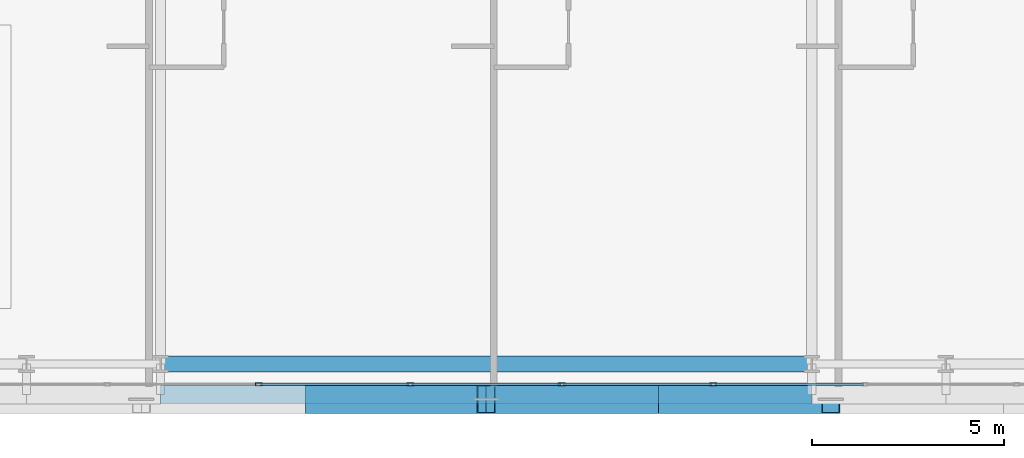
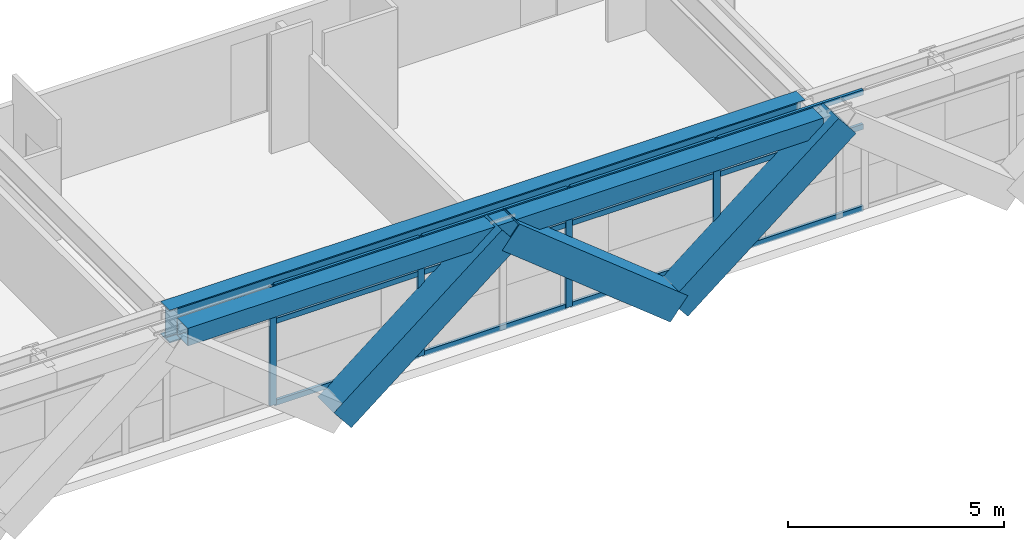
# One storey, part 5 of 34: 19 members, 2 beams, 1 element without a shape of its own.
"""IFC4 building model written with IfcOpenShell, lengths in metres."""

import ifcopenshell
import ifcopenshell.guid

model = None  # the IFC model being written
_history = None  # IfcOwnerHistory: only IFC2X3 demands one
_inside = {}  # id of a spatial element -> (the spatial element, [elements in it])
_under = {}  # id of a project, library or spatial element -> (it, [spatial elements below it])
_declared = {}  # id of a project -> (the project, [libraries it declares])
_typed = {}  # id of a type object -> (the type object, [elements of that type])
_made_of = {}  # id of a material, layer set ... -> (it, [elements and type objects made of it])


def new_model(schema):
    """Start an empty IFC model of exactly this schema.

    Asked for "IFC4X3", IfcOpenShell would pick the latest addendum, in which some entities
    have other attributes; the version numbers below select the first issue.
    IFC2X3 requires an IfcOwnerHistory on every rooted entity: one is made here for all.
    """
    global model, _history
    if schema == "IFC4X3":
        model = ifcopenshell.file(schema_version=(4, 3, 0, 0))
    else:
        model = ifcopenshell.file(schema=schema)
    _inside.clear()
    _under.clear()
    _declared.clear()
    _typed.clear()
    _made_of.clear()
    _history = None
    if model.schema == "IFC2X3":
        org = make("IfcOrganization", Name="unknown")
        user = make(
            "IfcPersonAndOrganization",
            ThePerson=make("IfcPerson", FamilyName="unknown"),
            TheOrganization=org,
        )
        app = make(
            "IfcApplication",
            ApplicationDeveloper=org,
            Version="unknown",
            ApplicationFullName="unknown",
            ApplicationIdentifier="unknown",
        )
        _history = make(
            "IfcOwnerHistory",
            OwningUser=user,
            OwningApplication=app,
            ChangeAction="ADDED",
            CreationDate=0,
        )
    return model


def make(cls, **values):
    """One entity of the class cls with the attributes given. An attribute that is None is left unset."""
    return model.create_entity(
        cls, **{name: value for name, value in values.items() if value is not None}
    )


def rooted(cls, **values):
    """An entity with a GlobalId (a new one), such as an element, a storey or a relation."""
    return make(cls, GlobalId=ifcopenshell.guid.new(), OwnerHistory=_history, **values)


def si_unit(unit_type, name, prefix=None):
    """IfcSIUnit, for example si_unit("LENGTHUNIT", "METRE", prefix="MILLI")."""
    return make("IfcSIUnit", UnitType=unit_type, Prefix=prefix, Name=name)


def assignment(units):
    """IfcUnitAssignment: the units of a project."""
    return None if units is None else make("IfcUnitAssignment", Units=units)


def point(xyz):
    """IfcCartesianPoint."""
    return None if xyz is None else make("IfcCartesianPoint", Coordinates=xyz)


def direction(xyz):
    """IfcDirection."""
    return None if xyz is None else make("IfcDirection", DirectionRatios=xyz)


def frame(location, z_axis=None, x_axis=None):
    """IfcAxis2Placement3D, a coordinate frame: its origin and axes. An axis left out is left unset."""
    return make(
        "IfcAxis2Placement3D",
        Location=point(location),
        Axis=direction(z_axis),
        RefDirection=direction(x_axis),
    )


def frame_2d(location, x_axis=None):
    """IfcAxis2Placement2D, a coordinate frame in the plane: its origin and x axis."""
    return make(
        "IfcAxis2Placement2D", Location=point(location), RefDirection=direction(x_axis)
    )


def origin():
    """The frame at (0, 0, 0) with its axes left unset."""
    return frame((0.0, 0.0, 0.0))


def origin_2d():
    """The frame at (0, 0) in the plane with its x axis left unset."""
    return frame_2d((0.0, 0.0))


def place(relative_to, where):
    """IfcLocalPlacement: puts the frame where relative to a parent placement (None: the world)."""
    return make(
        "IfcLocalPlacement", PlacementRelTo=relative_to, RelativePlacement=where
    )


def context(
    kind, dimensions, precision=None, world=None, true_north=None, identifier=None
):
    """IfcGeometricRepresentationContext, for example the 3D "Model" context."""
    return make(
        "IfcGeometricRepresentationContext",
        ContextIdentifier=identifier,
        ContextType=kind,
        CoordinateSpaceDimension=dimensions,
        Precision=precision,
        WorldCoordinateSystem=world,
        TrueNorth=true_north,
    )


def subcontext(parent, identifier, kind, view, scale=None):
    """IfcGeometricRepresentationSubContext, for example "Body" below "Model"."""
    return make(
        "IfcGeometricRepresentationSubContext",
        ContextIdentifier=identifier,
        ContextType=kind,
        ParentContext=parent,
        TargetScale=scale,
        TargetView=view,
    )


def project(units=None, contexts=None):
    """IfcProject with its units and contexts."""
    return rooted(
        "IfcProject",
        Name="project",
        RepresentationContexts=contexts,
        UnitsInContext=assignment(units),
    )


def spatial(cls, under=None, at=None, **own):
    """A site, building, storey or space (cls), placed at a placement, below another one or the project."""
    s = rooted(cls, ObjectPlacement=at, **own)
    if under is not None:
        _under.setdefault(under.id(), (under, []))[1].append(s)
    return s


def profile(cls, at=None, kind="AREA", **sizes):
    """A parametric profile (cls). Its sizes go by their IFC names, for example OverallWidth=200.0."""
    return make(cls, ProfileType=kind, Position=at, **sizes)


def hollow_rectangle(**sizes):
    """IfcRectangleHollowProfileDef."""
    return profile("IfcRectangleHollowProfileDef", **sizes)


def i_section(**sizes):
    """IfcIShapeProfileDef."""
    return profile("IfcIShapeProfileDef", **sizes)


def extrude(swept, where, along, depth):
    """IfcExtrudedAreaSolid: the profile swept, set in the frame where, extruded along a direction by depth."""
    return make(
        "IfcExtrudedAreaSolid",
        SweptArea=swept,
        Position=where,
        ExtrudedDirection=direction(along),
        Depth=depth,
    )


def shape(context_of_items, identifier, shape_type, items):
    """IfcShapeRepresentation: the items that make up one representation, for example the "Body"."""
    return make(
        "IfcShapeRepresentation",
        ContextOfItems=context_of_items,
        RepresentationIdentifier=identifier,
        RepresentationType=shape_type,
        Items=items,
    )


def source(mapping_origin, context_of_items, identifier, shape_type, items):
    """IfcRepresentationMap: a shape defined once, which mapped items show again and again."""
    return make(
        "IfcRepresentationMap",
        MappingOrigin=mapping_origin,
        MappedRepresentation=shape(context_of_items, identifier, shape_type, items),
    )


def transform(
    local_origin,
    x_axis=None,
    y_axis=None,
    z_axis=None,
    scale=None,
    scale2=None,
    scale3=None,
    uniform=True,
):
    """IfcCartesianTransformationOperator3D, or its non-uniform kind. x_axis, y_axis, z_axis: its Axis1, 2, 3."""
    if uniform:
        return make(
            "IfcCartesianTransformationOperator3D",
            Axis1=direction(x_axis),
            Axis2=direction(y_axis),
            LocalOrigin=point(local_origin),
            Scale=scale,
            Axis3=direction(z_axis),
        )
    return make(
        "IfcCartesianTransformationOperator3DnonUniform",
        Axis1=direction(x_axis),
        Axis2=direction(y_axis),
        LocalOrigin=point(local_origin),
        Scale=scale,
        Axis3=direction(z_axis),
        Scale2=scale2,
        Scale3=scale3,
    )


def mapped(mapping_source, mapping_target):
    """IfcMappedItem: shows the shape of a source again, moved by a transform."""
    return make(
        "IfcMappedItem", MappingSource=mapping_source, MappingTarget=mapping_target
    )


def material(Name=None, Category=None):
    """IfcMaterial."""
    return make("IfcMaterial", Name=Name, Category=Category)


def layer(
    of_material, thickness, ventilated=None, Name=None, Category=None, Priority=None
):
    """IfcMaterialLayer: one layer of a wall or slab, of a material (None: an air gap)."""
    return make(
        "IfcMaterialLayer",
        Material=of_material,
        LayerThickness=thickness,
        IsVentilated=ventilated,
        Name=Name,
        Category=Category,
        Priority=Priority,
    )


def layer_set(layers, Name=None):
    """IfcMaterialLayerSet."""
    return make("IfcMaterialLayerSet", MaterialLayers=layers, LayerSetName=Name)


def material_profile(
    of_material, cross_section, Name=None, Category=None, Priority=None
):
    """IfcMaterialProfile: a cross section and its material."""
    return make(
        "IfcMaterialProfile",
        Name=Name,
        Material=of_material,
        Profile=cross_section,
        Priority=Priority,
        Category=Category,
    )


def profile_set(profiles, Name=None, composite=None):
    """IfcMaterialProfileSet."""
    return make(
        "IfcMaterialProfileSet",
        Name=Name,
        MaterialProfiles=profiles,
        CompositeProfile=composite,
    )


def made_of(thing, what):
    """Note that an element or type object is made of a material, layer set ...; save() writes the relation."""
    if what is not None:
        _made_of.setdefault(what.id(), (what, []))[1].append(thing)
    return thing


def type_object(cls, material=None, **own):
    """A type object (cls), such as IfcWallType, which elements share."""
    return made_of(rooted(cls, **own), material)


def element(
    cls,
    number,
    at=None,
    inside=None,
    cuts=None,
    type_object=None,
    material=None,
    context=None,
    identifier="Body",
    shape_type=None,
    held_by="IfcProductDefinitionShape",
    body=None,
    shapes=None,
    **own,
):
    """One element of the class cls, such as IfcWall. Its Tag is "e" and its number.

    at: its placement. inside: the storey or other place that contains it. cuts: it is an
    opening in that element (IfcRelVoidsElement). A single representation is given by context,
    identifier, shape_type and body (its items); several are given by shapes. held_by: the class
    of the entity that holds the representations. save() writes the other relations.
    """
    e = rooted(cls, Tag="e%d" % number, ObjectPlacement=at, **own)
    if body is not None:
        shapes = [shape(context, identifier, shape_type, body)]
    if shapes is not None:
        e.Representation = make(held_by, Representations=shapes)
    if inside is not None:
        _inside.setdefault(inside.id(), (inside, []))[1].append(e)
    if cuts is not None:
        rooted(
            "IfcRelVoidsElement", RelatingBuildingElement=cuts, RelatedOpeningElement=e
        )
    if type_object is not None:
        _typed.setdefault(type_object.id(), (type_object, []))[1].append(e)
    return made_of(e, material)


def aggregate(whole, parts):
    """IfcRelAggregates: a whole, such as a stair, and the parts it consists of."""
    return rooted("IfcRelAggregates", RelatingObject=whole, RelatedObjects=parts)


def save(model, path):
    """Write the relations noted so far, then the file.

    IfcRelAggregates (storeys below a building ...), IfcRelContainedInSpatialStructure (elements
    in a storey), IfcRelDefinesByType, IfcRelAssociatesMaterial and IfcRelDeclares: one each for
    every whole, place, type object, material and project.
    """
    for whole, parts in _under.values():
        aggregate(whole, parts)
    for where, things in _inside.values():
        rooted(
            "IfcRelContainedInSpatialStructure",
            RelatedElements=things,
            RelatingStructure=where,
        )
    for kind, things in _typed.values():
        rooted("IfcRelDefinesByType", RelatedObjects=things, RelatingType=kind)
    for what, things in _made_of.values():
        rooted("IfcRelAssociatesMaterial", RelatedObjects=things, RelatingMaterial=what)
    for by, libraries in _declared.values():
        rooted("IfcRelDeclares", RelatingContext=by, RelatedDefinitions=libraries)
    model.write(path)


model = new_model("IFC4")

# Units and contexts
model_context = context("Model", 3, precision=1e-05, world=origin(), true_north=direction((0.0, 1.0)))
body_context = subcontext(model_context, "Body", "Model", "MODEL_VIEW")
ifc_project = project(units=[si_unit("LENGTHUNIT", "METRE"), si_unit("AREAUNIT", "SQUARE_METRE"), si_unit("VOLUMEUNIT", "CUBIC_METRE"), si_unit("PLANEANGLEUNIT", "RADIAN"), si_unit("MASSUNIT", "GRAM", prefix="KILO")], contexts=[model_context])

# Site, building, storey
site_placement = place(None, origin())
site = spatial("IfcSite", under=ifc_project, at=site_placement, CompositionType="ELEMENT")
building_placement = place(site_placement, origin())
building = spatial("IfcBuilding", under=site, at=building_placement, Name="Ocotamira Hotel", CompositionType="ELEMENT")
storey_placement = place(building_placement, frame((0.0, 0.0, 108.0)))
storey = spatial("IfcBuildingStorey", under=building, at=storey_placement, Name="L26", CompositionType="ELEMENT", Elevation=108.0)

# Beams
ifc_material_1 = material(Name="Steel ASTM A992 Grade 50", Category="steel")
ifc_material_profile_1 = material_profile(ifc_material_1, i_section(OverallWidth=0.41796875, OverallDepth=0.927001953125, WebThickness=0.019287109375, FlangeThickness=0.031982421875, FilletRadius=0.02392578125, at=origin_2d()), Name="W36X231")
ifc_profile_set_1 = profile_set([ifc_material_profile_1], Name="Steel ASTM A992 Grade 50")
beam_type_1 = type_object("IfcBeamType", Name="BM-GIRD-W36X231", PredefinedType="BEAM", material=ifc_profile_set_1)
shared_shape_1 = source(origin(), body_context, "Body", "SweptSolid", [
    extrude(i_section(OverallWidth=0.41796875, OverallDepth=0.927001953125, WebThickness=0.019287109375, FlangeThickness=0.031982421875, FilletRadius=0.02392578125, at=origin_2d()), origin(), (0.0, 0.0, 1.0), 17.0),
])
beam_1_placement = place(storey_placement, frame((23.5, 2.949951171875, 2.896484375), z_axis=(1.0, 0.0, 0.0), x_axis=(0.0, 1.0, 0.0)))
element("IfcBeam", 1, at=beam_1_placement, inside=storey, type_object=beam_type_1, Name="L26 Girder Y2.95 X23.5-40.5", PredefinedType="BEAM", context=body_context, shape_type="MappedRepresentation", body=[
    mapped(shared_shape_1, transform((0.0, 0.0, 0.0), scale=1.0)),
])
ifc_material_2 = material(Name="Steel ASTM A500 Grade C", Category="steel")
ifc_material_profile_2 = material_profile(ifc_material_2, hollow_rectangle(XDim=0.5, YDim=0.5, WallThickness=0.02001953125, at=origin_2d()), Name="HSS500X500X20")
ifc_profile_set_2 = profile_set([ifc_material_profile_2], Name="Steel ASTM A500 Grade C")
beam_type_2 = type_object("IfcBeamType", Name="BM-SPAN-HSS500", PredefinedType="USERDEFINED", material=ifc_profile_set_2)
shared_shape_2 = source(origin(), body_context, "Body", "SweptSolid", [
    extrude(hollow_rectangle(XDim=0.5, YDim=0.5, WallThickness=0.02001953125, at=origin_2d()), origin(), (0.0, 0.0, 1.0), 17.0),
])
beam_2_placement = place(storey_placement, frame((23.5, 2.14990234375, 3.110107421875), z_axis=(1.0, 0.0, 0.0), x_axis=(0.0, 1.0, 0.0)))
element("IfcBeam", 2, at=beam_2_placement, inside=storey, type_object=beam_type_2, Name="L26 Edge Spandrel S X23.5-40.5", ObjectType="SPANDREL", PredefinedType="USERDEFINED", context=body_context, shape_type="MappedRepresentation", body=[
    mapped(shared_shape_2, transform((0.0, 0.0, 0.0), scale=1.0)),
])

# Members
ifc_material_3 = material(Name="Pale-metal coated steel ASTM A913 Grade 65", Category="steel")
ifc_material_profile_3 = material_profile(ifc_material_3, hollow_rectangle(XDim=0.75, YDim=0.75, WallThickness=0.028076171875, at=origin_2d()), Name="BOX750X750X28")
ifc_profile_set_3 = profile_set([ifc_material_profile_3], Name="Pale-metal coated steel ASTM A913 Grade 65")
member_type_1 = type_object("IfcMemberType", Name="MEM-EXO-BOX750", PredefinedType="BRACE", material=ifc_profile_set_3)
shared_shape_3 = source(origin(), body_context, "Body", "SweptSolid", [
    extrude(hollow_rectangle(XDim=0.75, YDim=0.75, WallThickness=0.028076171875, at=origin_2d()), origin(), (0.0, 0.0, 1.0), 5.762939453125),
])
for number, where, z_axis, x_axis, name in (
    (3, (27.5, 2.030029296875, -0.489990234375), (0.780860543151, 0.0, 0.624705380279), (0.0, 1.0, 0.0), "L26 Exoskeleton Diagrid S1.2"),
    (4, (36.5, 2.030029296875, -0.489990234375), (-0.780860543151, 0.0, 0.624705380279), (0.0, -1.0, 0.0), "L26 Exoskeleton Diagrid S2.1"),
    (5, (36.5, 2.030029296875, -0.489990234375), (0.780860543151, 0.0, 0.624705380279), (0.0, 1.0, 0.0), "L26 Exoskeleton Diagrid S2.2"),
):
    element("IfcMember", number, at=place(storey_placement, frame(where, z_axis=z_axis, x_axis=x_axis)), inside=storey, type_object=member_type_1, Name=name, PredefinedType="BRACE", context=body_context, shape_type="MappedRepresentation", body=[
        mapped(shared_shape_3, transform((0.0, 0.0, 0.0), scale=1.0)),
    ])

# Curtain wall, members
ifc_material_4 = material(Name="Anodised pale-metal aluminium and solar glass", Category="aluminium")
ifc_layer = layer(ifc_material_4, 0.179931640625)
ifc_layer_set = layer_set([ifc_layer], Name="Anodised pale-metal aluminium and solar glass")
curtain_wall_type = type_object("IfcCurtainWallType", Name="CW-SYS3-Z2", PredefinedType="NOTDEFINED", material=ifc_layer_set)
curtain_wall_placement = place(storey_placement, origin())
curtain_wall = element("IfcCurtainWall", 6, at=curtain_wall_placement, inside=storey, type_object=curtain_wall_type, Name="L26 Curtain Wall CW-3 CW-L26-S1", PredefinedType="NOTDEFINED")
ifc_material_5 = material(Name="Anodised pale-metal aluminium 6063-T6", Category="aluminium")
ifc_material_profile_4 = material_profile(ifc_material_5, hollow_rectangle(XDim=0.074951171875, YDim=0.14990234375, WallThickness=0.006103515625, at=origin_2d()), Name="HSS150X75X6")
ifc_profile_set_4 = profile_set([ifc_material_profile_4], Name="Anodised pale-metal aluminium 6063-T6")
member_type_2 = type_object("IfcMemberType", Name="CWT-150X75", PredefinedType="USERDEFINED", material=ifc_profile_set_4)
shared_shape_4 = source(origin(), body_context, "Body", "SweptSolid", [
    extrude(hollow_rectangle(XDim=0.074951171875, YDim=0.14990234375, WallThickness=0.006103515625, at=origin_2d()), origin(), (0.0, 0.0, 1.0), 3.87548828125),
])
member_1_placement = place(storey_placement, frame((26.106689453125, 2.419921875, 0.03759765625), z_axis=(1.0, 0.0, 0.0), x_axis=(0.0, 1.0, 0.0)))
member_1 = element("IfcMember", 7, at=member_1_placement, type_object=member_type_2, Name="CW-3 transom 4.1", ObjectType="TRANSOM", PredefinedType="USERDEFINED", context=body_context, shape_type="MappedRepresentation", body=[
    mapped(shared_shape_4, transform((0.0, 0.0, 0.0), scale=1.0)),
])
member_2_placement = place(storey_placement, frame((26.106689453125, 2.419921875, 2.35009765625), z_axis=(1.0, 0.0, 0.0), x_axis=(0.0, 1.0, 0.0)))
member_2 = element("IfcMember", 8, at=member_2_placement, type_object=member_type_2, Name="CW-3 transom 4.2", ObjectType="TRANSOM", PredefinedType="USERDEFINED", context=body_context, shape_type="MappedRepresentation", body=[
    mapped(shared_shape_4, transform((0.0, 0.0, 0.0), scale=1.0)),
])
member_3_placement = place(storey_placement, frame((26.106689453125, 2.419921875, 3.322509765625), z_axis=(1.0, 0.0, 0.0), x_axis=(0.0, 1.0, 0.0)))
member_3 = element("IfcMember", 9, at=member_3_placement, type_object=member_type_2, Name="CW-3 transom 4.3", ObjectType="TRANSOM", PredefinedType="USERDEFINED", context=body_context, shape_type="MappedRepresentation", body=[
    mapped(shared_shape_4, transform((0.0, 0.0, 0.0), scale=1.0)),
])
member_4_placement = place(storey_placement, frame((30.062255859375, 2.419921875, 0.03759765625), z_axis=(1.0, 0.0, 0.0), x_axis=(0.0, 1.0, 0.0)))
member_4 = element("IfcMember", 10, at=member_4_placement, type_object=member_type_2, Name="CW-3 transom 5.1", ObjectType="TRANSOM", PredefinedType="USERDEFINED", context=body_context, shape_type="MappedRepresentation", body=[
    mapped(shared_shape_4, transform((0.0, 0.0, 0.0), scale=1.0)),
])
member_5_placement = place(storey_placement, frame((30.062255859375, 2.419921875, 2.35009765625), z_axis=(1.0, 0.0, 0.0), x_axis=(0.0, 1.0, 0.0)))
member_5 = element("IfcMember", 11, at=member_5_placement, type_object=member_type_2, Name="CW-3 transom 5.2", ObjectType="TRANSOM", PredefinedType="USERDEFINED", context=body_context, shape_type="MappedRepresentation", body=[
    mapped(shared_shape_4, transform((0.0, 0.0, 0.0), scale=1.0)),
])
member_6_placement = place(storey_placement, frame((30.062255859375, 2.419921875, 3.322509765625), z_axis=(1.0, 0.0, 0.0), x_axis=(0.0, 1.0, 0.0)))
member_6 = element("IfcMember", 12, at=member_6_placement, type_object=member_type_2, Name="CW-3 transom 5.3", ObjectType="TRANSOM", PredefinedType="USERDEFINED", context=body_context, shape_type="MappedRepresentation", body=[
    mapped(shared_shape_4, transform((0.0, 0.0, 0.0), scale=1.0)),
])
member_7_placement = place(storey_placement, frame((34.017822265625, 2.419921875, 0.03759765625), z_axis=(1.0, 0.0, 0.0), x_axis=(0.0, 1.0, 0.0)))
member_7 = element("IfcMember", 13, at=member_7_placement, type_object=member_type_2, Name="CW-3 transom 6.1", ObjectType="TRANSOM", PredefinedType="USERDEFINED", context=body_context, shape_type="MappedRepresentation", body=[
    mapped(shared_shape_4, transform((0.0, 0.0, 0.0), scale=1.0)),
])
member_8_placement = place(storey_placement, frame((34.017822265625, 2.419921875, 2.35009765625), z_axis=(1.0, 0.0, 0.0), x_axis=(0.0, 1.0, 0.0)))
member_8 = element("IfcMember", 14, at=member_8_placement, type_object=member_type_2, Name="CW-3 transom 6.2", ObjectType="TRANSOM", PredefinedType="USERDEFINED", context=body_context, shape_type="MappedRepresentation", body=[
    mapped(shared_shape_4, transform((0.0, 0.0, 0.0), scale=1.0)),
])
member_9_placement = place(storey_placement, frame((34.017822265625, 2.419921875, 3.322509765625), z_axis=(1.0, 0.0, 0.0), x_axis=(0.0, 1.0, 0.0)))
member_9 = element("IfcMember", 15, at=member_9_placement, type_object=member_type_2, Name="CW-3 transom 6.3", ObjectType="TRANSOM", PredefinedType="USERDEFINED", context=body_context, shape_type="MappedRepresentation", body=[
    mapped(shared_shape_4, transform((0.0, 0.0, 0.0), scale=1.0)),
])
member_10_placement = place(storey_placement, frame((37.973388671875, 2.419921875, 0.03759765625), z_axis=(1.0, 0.0, 0.0), x_axis=(0.0, 1.0, 0.0)))
member_10 = element("IfcMember", 16, at=member_10_placement, type_object=member_type_2, Name="CW-3 transom 7.1", ObjectType="TRANSOM", PredefinedType="USERDEFINED", context=body_context, shape_type="MappedRepresentation", body=[
    mapped(shared_shape_4, transform((0.0, 0.0, 0.0), scale=1.0)),
])
member_11_placement = place(storey_placement, frame((37.973388671875, 2.419921875, 2.35009765625), z_axis=(1.0, 0.0, 0.0), x_axis=(0.0, 1.0, 0.0)))
member_11 = element("IfcMember", 17, at=member_11_placement, type_object=member_type_2, Name="CW-3 transom 7.2", ObjectType="TRANSOM", PredefinedType="USERDEFINED", context=body_context, shape_type="MappedRepresentation", body=[
    mapped(shared_shape_4, transform((0.0, 0.0, 0.0), scale=1.0)),
])
member_12_placement = place(storey_placement, frame((37.973388671875, 2.419921875, 3.322509765625), z_axis=(1.0, 0.0, 0.0), x_axis=(0.0, 1.0, 0.0)))
member_12 = element("IfcMember", 18, at=member_12_placement, type_object=member_type_2, Name="CW-3 transom 7.3", ObjectType="TRANSOM", PredefinedType="USERDEFINED", context=body_context, shape_type="MappedRepresentation", body=[
    mapped(shared_shape_4, transform((0.0, 0.0, 0.0), scale=1.0)),
])
ifc_material_profile_5 = material_profile(ifc_material_5, hollow_rectangle(XDim=0.080078125, YDim=0.179931640625, WallThickness=0.006103515625, at=origin_2d()), Name="HSS180X80X6")
ifc_profile_set_5 = profile_set([ifc_material_profile_5], Name="Anodised pale-metal aluminium 6063-T6")
member_type_3 = type_object("IfcMemberType", Name="CWM-180X75", PredefinedType="MULLION", material=ifc_profile_set_5)
shared_shape_5 = source(origin(), body_context, "Body", "SweptSolid", [
    extrude(hollow_rectangle(XDim=0.080078125, YDim=0.179931640625, WallThickness=0.006103515625, at=origin_2d()), origin(), (0.0, 0.0, 1.0), 3.360107421875),
])
member_13_placement = place(storey_placement, frame((26.066650390625, 2.419921875, 0.0), z_axis=(0.0, 0.0, 1.0), x_axis=(0.0, 1.0, 0.0)))
member_13 = element("IfcMember", 19, at=member_13_placement, type_object=member_type_3, Name="CW-3 mullion 4", PredefinedType="MULLION", context=body_context, shape_type="MappedRepresentation", body=[
    mapped(shared_shape_5, transform((0.0, 0.0, 0.0), scale=1.0)),
])
member_14_placement = place(storey_placement, frame((30.022216796875, 2.419921875, 0.0), z_axis=(0.0, 0.0, 1.0), x_axis=(0.0, 1.0, 0.0)))
member_14 = element("IfcMember", 20, at=member_14_placement, type_object=member_type_3, Name="CW-3 mullion 5", PredefinedType="MULLION", context=body_context, shape_type="MappedRepresentation", body=[
    mapped(shared_shape_5, transform((0.0, 0.0, 0.0), scale=1.0)),
])
member_15_placement = place(storey_placement, frame((33.977783203125, 2.419921875, 0.0), z_axis=(0.0, 0.0, 1.0), x_axis=(0.0, 1.0, 0.0)))
member_15 = element("IfcMember", 21, at=member_15_placement, type_object=member_type_3, Name="CW-3 mullion 6", PredefinedType="MULLION", context=body_context, shape_type="MappedRepresentation", body=[
    mapped(shared_shape_5, transform((0.0, 0.0, 0.0), scale=1.0)),
])
member_16_placement = place(storey_placement, frame((37.933349609375, 2.419921875, 0.0), z_axis=(0.0, 0.0, 1.0), x_axis=(0.0, 1.0, 0.0)))
member_16 = element("IfcMember", 22, at=member_16_placement, type_object=member_type_3, Name="CW-3 mullion 7", PredefinedType="MULLION", context=body_context, shape_type="MappedRepresentation", body=[
    mapped(shared_shape_5, transform((0.0, 0.0, 0.0), scale=1.0)),
])
aggregate(curtain_wall, [member_13, member_14, member_15, member_16, member_1, member_2, member_3, member_4, member_5, member_6, member_7, member_8, member_9, member_10, member_11, member_12])

save(model, "model.ifc")
